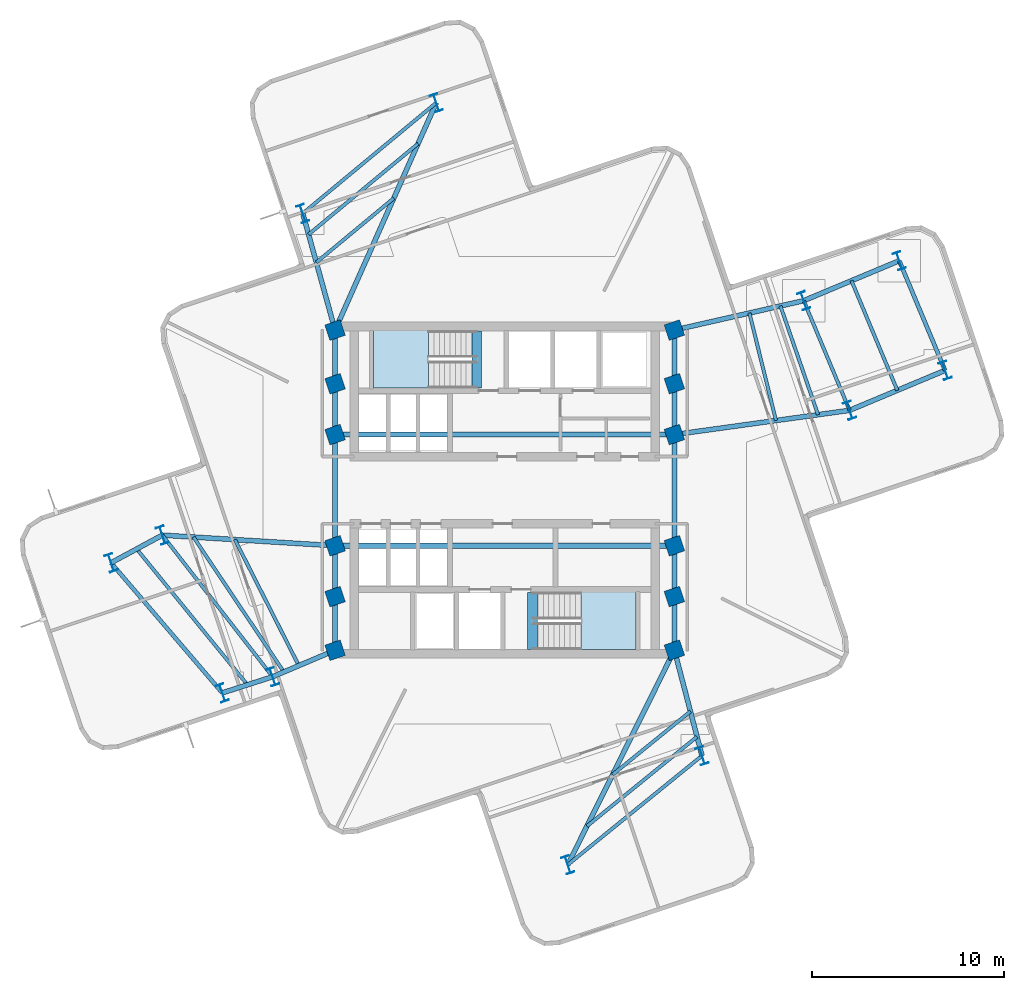
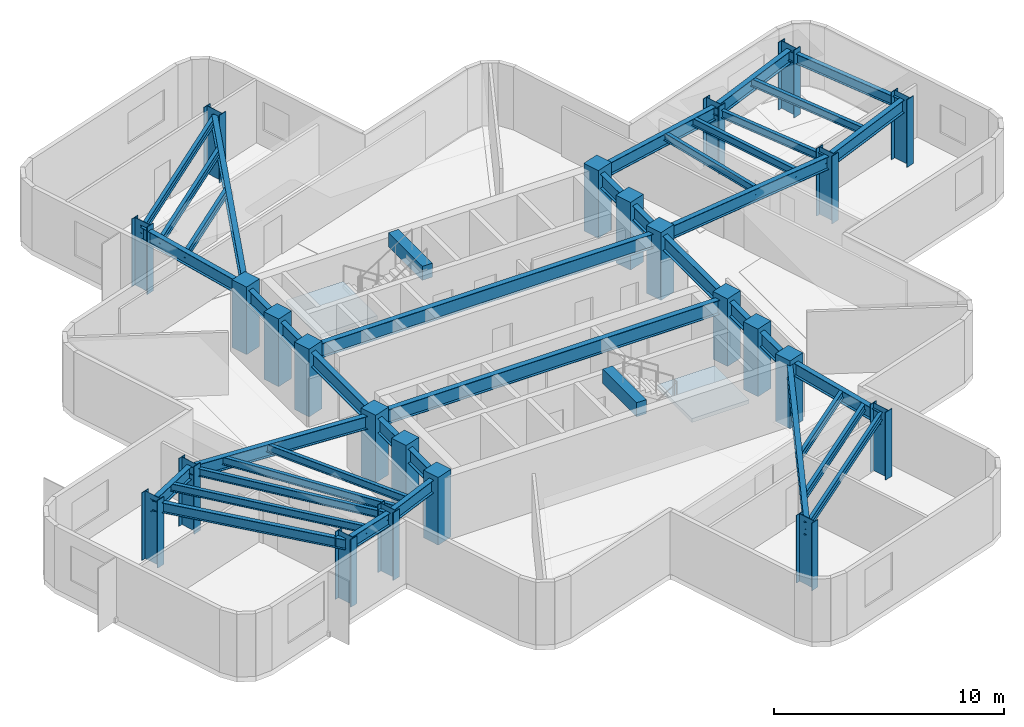
# One storey, part 1 of 8: 42 beams, 24 columns, 2 slabs, 2 elements without a shape of their own.
"""IFC4 building model written with IfcOpenShell, lengths in metres."""

from ifc_helpers import new_model, si_unit, direction, frame, origin, origin_2d, place, context, subcontext, project, spatial, polyline, rectangle, i_section, outline, extrude, material, layer, layer_set, material_profile, profile_set, type_object, element, aggregate, save


model = new_model("IFC4")

# Units and contexts
model_context = context("Model", 3, precision=1e-05, world=origin(), true_north=direction((0.0, 1.0)))
body_context = subcontext(model_context, "Body", "Model", "MODEL_VIEW")
ifc_project = project(units=[si_unit("LENGTHUNIT", "METRE"), si_unit("AREAUNIT", "SQUARE_METRE"), si_unit("VOLUMEUNIT", "CUBIC_METRE"), si_unit("PLANEANGLEUNIT", "RADIAN"), si_unit("MASSUNIT", "GRAM", prefix="KILO")], contexts=[model_context])

# Site, building, storey
site_placement = place(None, origin())
site = spatial("IfcSite", under=ifc_project, at=site_placement, CompositionType="ELEMENT")
building_placement = place(site_placement, origin())
building = spatial("IfcBuilding", under=site, at=building_placement, Name="Solmarez Civic Tower", CompositionType="ELEMENT")
storey_placement = place(building_placement, frame((0.0, 0.0, 159.47998046875)))
storey = spatial("IfcBuildingStorey", under=building, at=storey_placement, Name="L42", CompositionType="ELEMENT", Elevation=159.47998046875)

# Columns
ifc_material_1 = material(Name="Concrete C50/60", Category="concrete")
ifc_material_profile_1 = material_profile(ifc_material_1, rectangle(XDim=0.85009765625, YDim=0.85009765625, at=origin_2d()), Name="RC850X850")
ifc_profile_set_1 = profile_set([ifc_material_profile_1], Name="Concrete C50/60")
column_type_1 = type_object("IfcColumnType", Name="COL-RC850", PredefinedType="COLUMN", material=ifc_profile_set_1)
for number, where, z_axis, x_axis, name in (
    (1, (-8.85009765625, -5.550048828125, 0.0), (0.0, 0.0, 1.0), (0.948323655206, 0.317304656405, 0.0), "L42 Structural Column HC1"),
    (2, (-8.85009765625, -2.89990234375, 0.0), (0.0, 0.0, 1.0), (0.948323655206, 0.317304656405, 0.0), "L42 Structural Column HC2"),
    (3, (-8.85009765625, 2.89990234375, 0.0), (0.0, 0.0, 1.0), (0.948323655206, 0.317304656405, 0.0), "L42 Structural Column HC3"),
    (4, (-8.85009765625, 5.550048828125, 0.0), (0.0, 0.0, 1.0), (0.948323655206, 0.317304656405, 0.0), "L42 Structural Column HC4"),
    (5, (8.85009765625, -5.550048828125, 0.0), (0.0, 0.0, 1.0), (0.948323655206, 0.317304656405, 0.0), "L42 Structural Column HC5"),
    (6, (8.85009765625, -2.89990234375, 0.0), (0.0, 0.0, 1.0), (0.948323655206, 0.317304656405, 0.0), "L42 Structural Column HC6"),
    (7, (8.85009765625, 2.89990234375, 0.0), (0.0, 0.0, 1.0), (0.948323655206, 0.317304656405, 0.0), "L42 Structural Column HC7"),
    (8, (8.85009765625, 5.550048828125, 0.0), (0.0, 0.0, 1.0), (0.948323655206, 0.317304656405, 0.0), "L42 Structural Column HC8"),
    (9, (-8.85009765625, 8.35009765625, 0.0), (0.0, 0.0, 1.0), (0.948323655206, 0.317304656405, 0.0), "L42 Structural Column HC9"),
    (10, (8.85009765625, -8.35009765625, 0.0), (0.0, 0.0, 1.0), (0.948323655206, 0.317304656405, 0.0), "L42 Structural Column HC10"),
    (11, (8.85009765625, 8.35009765625, 0.0), (0.0, 0.0, 1.0), (0.948323655206, 0.317304656405, 0.0), "L42 Structural Column HC11"),
    (12, (-8.85009765625, -8.35009765625, 0.0), (0.0, 0.0, 1.0), (0.948323655206, 0.317304656405, 0.0), "L42 Structural Column HC12"),
):
    element("IfcColumn", number, at=place(storey_placement, frame(where, z_axis=z_axis, x_axis=x_axis)), inside=storey, type_object=column_type_1, Name=name, PredefinedType="COLUMN", context=body_context, shape_type="SweptSolid", body=[
        extrude(rectangle(XDim=0.85009765625, YDim=0.85009765625, at=origin_2d()), origin(), (0.0, 0.0, 1.0), 3.60009765625),
    ])
ifc_material_2 = material(Name="Steel S355", Category="steel")
ifc_material_profile_2 = material_profile(ifc_material_2, i_section(OverallWidth=0.41796875, OverallDepth=0.927001953125, WebThickness=0.019287109375, FlangeThickness=0.031982421875, at=origin_2d()), Name="W36X231")
ifc_profile_set_2 = profile_set([ifc_material_profile_2], Name="Steel S355")
column_type_2 = type_object("IfcColumnType", Name="COL-W36X231", PredefinedType="COLUMN", material=ifc_profile_set_2)
for number, where, z_axis, x_axis, name in (
    (13, (17.987060546875, 4.1640625, 0.0), (0.0, 0.0, 1.0), (0.948323655206, 0.317304656405, 0.0), "L42 Structural Column EA11"),
    (14, (15.593994140625, 9.883056640625, 0.0), (0.0, 0.0, 1.0), (0.948323655206, 0.317304656405, 0.0), "L42 Structural Column EA12"),
    (15, (22.968017578125, 6.248046875, 0.0), (0.0, 0.0, 1.0), (0.948323655206, 0.317304656405, 0.0), "L42 Structural Column EA21"),
    (16, (20.575927734375, 11.967041015625, 0.0), (0.0, 0.0, 1.0), (0.948323655206, 0.317304656405, 0.0), "L42 Structural Column EA22"),
    (17, (-3.570068359375, 20.20703125, 0.0), (0.0, 0.0, 1.0), (0.948323655206, 0.317304656405, 0.0), "L42 Structural Column NA11"),
    (18, (-10.532958984375, 14.43310546875, 0.0), (0.0, 0.0, 1.0), (0.948323655206, 0.317304656405, 0.0), "L42 Structural Column NA12"),
    (19, (-17.85791015625, -2.345947265625, 0.0), (0.0, 0.0, 1.0), (0.948323655206, 0.317304656405, 0.0), "L42 Structural Column WA11"),
    (20, (-12.10595703125, -9.73095703125, 0.0), (0.0, 0.0, 1.0), (0.948323655206, 0.317304656405, 0.0), "L42 Structural Column WA12"),
    (21, (-20.534912109375, -3.7880859375, 0.0), (0.0, 0.0, 1.0), (0.948323655206, 0.317304656405, 0.0), "L42 Structural Column WA21"),
    (22, (-14.73095703125, -10.572998046875, 0.0), (0.0, 0.0, 1.0), (0.948323655206, 0.317304656405, 0.0), "L42 Structural Column WA22"),
    (23, (3.2900390625, -19.535888671875, 0.0), (0.0, 0.0, 1.0), (0.948323655206, 0.317304656405, 0.0), "L42 Structural Column SA11"),
    (24, (10.2900390625, -13.85009765625, 0.0), (0.0, 0.0, 1.0), (0.948323655206, 0.317304656405, 0.0), "L42 Structural Column SA12"),
):
    element("IfcColumn", number, at=place(storey_placement, frame(where, z_axis=z_axis, x_axis=x_axis)), inside=storey, type_object=column_type_2, Name=name, PredefinedType="COLUMN", context=body_context, shape_type="SweptSolid", body=[
        extrude(i_section(OverallWidth=0.41796875, OverallDepth=0.927001953125, WebThickness=0.019287109375, FlangeThickness=0.031982421875, at=origin_2d()), origin(), (0.0, 0.0, 1.0), 3.60009765625),
    ])

# Beams
ifc_material_profile_3 = material_profile(ifc_material_2, i_section(OverallWidth=0.178955078125, OverallDepth=0.409912109375, WebThickness=0.0087890625, FlangeThickness=0.014404296875, at=origin_2d()), Name="W16X45")
ifc_profile_set_3 = profile_set([ifc_material_profile_3], Name="Steel S355")
beam_type_1 = type_object("IfcBeamType", Name="BM-JS-W16X45", PredefinedType="JOIST", material=ifc_profile_set_3)
beam_1_placement = place(storey_placement, frame((17.987060546875, 4.1640625, 3.135009765625), z_axis=(-0.386010282684, 0.922494477849, 0.0), x_axis=(-0.922494477849, -0.386010282684, 0.0)))
element("IfcBeam", 25, at=beam_1_placement, inside=storey, type_object=beam_type_1, Name="L42 Secondary Floor Joist BM-L42-EA-T1", PredefinedType="JOIST", context=body_context, shape_type="SweptSolid", body=[
    extrude(i_section(OverallWidth=0.178955078125, OverallDepth=0.409912109375, WebThickness=0.0087890625, FlangeThickness=0.014404296875, at=origin_2d()), origin(), (0.0, 0.0, 1.0), 6.199462890625),
])
beam_2_placement = place(storey_placement, frame((20.47705078125, 5.2060546875, 3.135009765625), z_axis=(-0.385876218946, 0.922550564279, 0.0), x_axis=(-0.922550564279, -0.385876218946, 0.0)))
element("IfcBeam", 26, at=beam_2_placement, inside=storey, type_object=beam_type_1, Name="L42 Secondary Floor Joist JS-L42-EA-M2", PredefinedType="JOIST", context=body_context, shape_type="SweptSolid", body=[
    extrude(i_section(OverallWidth=0.178955078125, OverallDepth=0.409912109375, WebThickness=0.0087890625, FlangeThickness=0.014404296875, at=origin_2d()), origin(), (0.0, 0.0, 1.0), 6.19921875),
])
beam_3_placement = place(storey_placement, frame((14.14892578125, 3.633056640625, 3.135009765625), z_axis=(-0.240167471374, 0.970731469405, 0.0), x_axis=(-0.970731469405, -0.240167471374, 0.0)))
element("IfcBeam", 27, at=beam_3_placement, inside=storey, type_object=beam_type_1, Name="L42 Secondary Floor Joist JS-L42-EA-M11", PredefinedType="JOIST", context=body_context, shape_type="SweptSolid", body=[
    extrude(i_section(OverallWidth=0.178955078125, OverallDepth=0.409912109375, WebThickness=0.0087890625, FlangeThickness=0.014404296875, at=origin_2d()), origin(), (0.0, 0.0, 1.0), 5.77490234375),
])
beam_4_placement = place(storey_placement, frame((16.342041015625, 3.93603515625, 3.135009765625), z_axis=(-0.326984797789, 0.945029598486, 0.0), x_axis=(-0.945029598486, -0.326984797789, 0.0)))
element("IfcBeam", 28, at=beam_4_placement, inside=storey, type_object=beam_type_1, Name="L42 Secondary Floor Joist JS-L42-EA-M12", PredefinedType="JOIST", context=body_context, shape_type="SweptSolid", body=[
    extrude(i_section(OverallWidth=0.178955078125, OverallDepth=0.409912109375, WebThickness=0.0087890625, FlangeThickness=0.014404296875, at=origin_2d()), origin(), (0.0, 0.0, 1.0), 6.000732421875),
])
beam_5_placement = place(storey_placement, frame((-3.570068359375, 20.20703125, 3.135009765625), z_axis=(-0.769767664309, -0.638324167633, 0.0), x_axis=(0.638324167633, -0.769767664309, 0.0)))
element("IfcBeam", 29, at=beam_5_placement, inside=storey, type_object=beam_type_1, Name="L42 Secondary Floor Joist BM-L42-NA-T1", PredefinedType="JOIST", context=body_context, shape_type="SweptSolid", body=[
    extrude(i_section(OverallWidth=0.178955078125, OverallDepth=0.409912109375, WebThickness=0.0087890625, FlangeThickness=0.014404296875, at=origin_2d()), origin(), (0.0, 0.0, 1.0), 9.04541015625),
])
beam_6_placement = place(storey_placement, frame((-5.7880859375, 15.22705078125, 3.135009765625), z_axis=(-0.76969549019, -0.63841119381, 0.0), x_axis=(0.63841119381, -0.76969549019, 0.0)))
element("IfcBeam", 30, at=beam_6_placement, inside=storey, type_object=beam_type_1, Name="L42 Secondary Floor Joist JS-L42-NA-M11", PredefinedType="JOIST", context=body_context, shape_type="SweptSolid", body=[
    extrude(i_section(OverallWidth=0.178955078125, OverallDepth=0.409912109375, WebThickness=0.0087890625, FlangeThickness=0.014404296875, at=origin_2d()), origin(), (0.0, 0.0, 1.0), 5.24609375),
])
beam_7_placement = place(storey_placement, frame((-4.52001953125, 18.072998046875, 3.135009765625), z_axis=(-0.769756777075, -0.638337296535, 0.0), x_axis=(0.638337296535, -0.769756777075, 0.0)))
element("IfcBeam", 31, at=beam_7_placement, inside=storey, type_object=beam_type_1, Name="L42 Secondary Floor Joist JS-L42-NA-M12", PredefinedType="JOIST", context=body_context, shape_type="SweptSolid", body=[
    extrude(i_section(OverallWidth=0.178955078125, OverallDepth=0.409912109375, WebThickness=0.0087890625, FlangeThickness=0.014404296875, at=origin_2d()), origin(), (0.0, 0.0, 1.0), 7.41796875),
])
beam_8_placement = place(storey_placement, frame((-17.85791015625, -2.345947265625, 3.135009765625), z_axis=(0.614476744631, -0.788934934141, 0.0), x_axis=(0.788934934141, 0.614476744631, 0.0)))
element("IfcBeam", 32, at=beam_8_placement, inside=storey, type_object=beam_type_1, Name="L42 Secondary Floor Joist BM-L42-WA-T1", PredefinedType="JOIST", context=body_context, shape_type="SweptSolid", body=[
    extrude(i_section(OverallWidth=0.178955078125, OverallDepth=0.409912109375, WebThickness=0.0087890625, FlangeThickness=0.014404296875, at=origin_2d()), origin(), (0.0, 0.0, 1.0), 9.36083984375),
])
beam_9_placement = place(storey_placement, frame((-19.197021484375, -3.06689453125, 3.135009765625), z_axis=(0.632062174253, -0.77491767813, 0.0), x_axis=(0.77491767813, 0.632062174253, 0.0)))
element("IfcBeam", 33, at=beam_9_placement, inside=storey, type_object=beam_type_1, Name="L42 Secondary Floor Joist JS-L42-WA-M2", PredefinedType="JOIST", context=body_context, shape_type="SweptSolid", body=[
    extrude(i_section(OverallWidth=0.178955078125, OverallDepth=0.409912109375, WebThickness=0.0087890625, FlangeThickness=0.014404296875, at=origin_2d()), origin(), (0.0, 0.0, 1.0), 9.14306640625),
])
beam_10_placement = place(storey_placement, frame((-14.074951171875, -2.5791015625, 3.135009765625), z_axis=(0.452743410654, -0.891640849282, 0.0), x_axis=(0.891640849282, 0.452743410654, 0.0)))
element("IfcBeam", 34, at=beam_10_placement, inside=storey, type_object=beam_type_1, Name="L42 Secondary Floor Joist JS-L42-WA-M11", PredefinedType="JOIST", context=body_context, shape_type="SweptSolid", body=[
    extrude(i_section(OverallWidth=0.178955078125, OverallDepth=0.409912109375, WebThickness=0.0087890625, FlangeThickness=0.014404296875, at=origin_2d()), origin(), (0.0, 0.0, 1.0), 7.370361328125),
])
beam_11_placement = place(storey_placement, frame((-16.237060546875, -2.446044921875, 3.135009765625), z_axis=(0.556859935783, -0.830606412159, 0.0), x_axis=(0.830606412159, 0.556859935783, 0.0)))
element("IfcBeam", 35, at=beam_11_placement, inside=storey, type_object=beam_type_1, Name="L42 Secondary Floor Joist JS-L42-WA-M12", PredefinedType="JOIST", context=body_context, shape_type="SweptSolid", body=[
    extrude(i_section(OverallWidth=0.178955078125, OverallDepth=0.409912109375, WebThickness=0.0087890625, FlangeThickness=0.014404296875, at=origin_2d()), origin(), (0.0, 0.0, 1.0), 8.470703125),
])
beam_12_placement = place(storey_placement, frame((3.2900390625, -19.535888671875, 3.135009765625), z_axis=(0.776206737012, 0.630478470225, 0.0), x_axis=(-0.630478470225, 0.776206737012, 0.0)))
element("IfcBeam", 36, at=beam_12_placement, inside=storey, type_object=beam_type_1, Name="L42 Secondary Floor Joist BM-L42-SA-T1", PredefinedType="JOIST", context=body_context, shape_type="SweptSolid", body=[
    extrude(i_section(OverallWidth=0.178955078125, OverallDepth=0.409912109375, WebThickness=0.0087890625, FlangeThickness=0.014404296875, at=origin_2d()), origin(), (0.0, 0.0, 1.0), 9.018310546875),
])
beam_13_placement = place(storey_placement, frame((5.625, -14.837890625, 3.135009765625), z_axis=(0.776202509922, 0.630483674325, 0.0), x_axis=(-0.630483674325, 0.776202509922, 0.0)))
element("IfcBeam", 37, at=beam_13_placement, inside=storey, type_object=beam_type_1, Name="L42 Secondary Floor Joist JS-L42-SA-M11", PredefinedType="JOIST", context=body_context, shape_type="SweptSolid", body=[
    extrude(i_section(OverallWidth=0.178955078125, OverallDepth=0.409912109375, WebThickness=0.0087890625, FlangeThickness=0.014404296875, at=origin_2d()), origin(), (0.0, 0.0, 1.0), 5.230712890625),
])
beam_14_placement = place(storey_placement, frame((4.291015625, -17.52294921875, 3.135009765625), z_axis=(0.776173575786, 0.630519294115, 0.0), x_axis=(-0.630519294115, 0.776173575786, 0.0)))
element("IfcBeam", 38, at=beam_14_placement, inside=storey, type_object=beam_type_1, Name="L42 Secondary Floor Joist JS-L42-SA-M12", PredefinedType="JOIST", context=body_context, shape_type="SweptSolid", body=[
    extrude(i_section(OverallWidth=0.178955078125, OverallDepth=0.409912109375, WebThickness=0.0087890625, FlangeThickness=0.014404296875, at=origin_2d()), origin(), (0.0, 0.0, 1.0), 7.395263671875),
])
ifc_material_profile_4 = material_profile(ifc_material_1, rectangle(XDim=0.5, YDim=0.75, at=origin_2d()), Name="RC500X750")
ifc_profile_set_4 = profile_set([ifc_material_profile_4], Name="Concrete C50/60")
beam_type_2 = type_object("IfcBeamType", Name="BM-PR-RC500X750", PredefinedType="BEAM", material=ifc_profile_set_4)
for number, where, z_axis, x_axis, name in (
    (39, (-1.449951171875, 5.340087890625, 3.23291015625), (0.0, 1.0, 0.0), (-1.0, 0.0, 0.0), "L42 North Stair Threshold Beam"),
    (40, (1.449951171875, -8.300048828125, 3.23291015625), (0.0, 1.0, 0.0), (-1.0, 0.0, 0.0), "L42 South Stair Threshold Beam"),
):
    element("IfcBeam", number, at=place(storey_placement, frame(where, z_axis=z_axis, x_axis=x_axis)), inside=storey, type_object=beam_type_2, Name=name, PredefinedType="BEAM", context=body_context, shape_type="SweptSolid", body=[
        extrude(rectangle(XDim=0.5, YDim=0.75, at=origin_2d()), origin(), (0.0, 0.0, 1.0), 2.9599609375),
    ])
ifc_material_profile_5 = material_profile(ifc_material_2, i_section(OverallWidth=0.25390625, OverallDepth=0.68798828125, WebThickness=0.01318359375, FlangeThickness=0.02099609375, at=origin_2d()), Name="W27X102")
ifc_profile_set_5 = profile_set([ifc_material_profile_5], Name="Steel S355")
beam_type_3 = type_object("IfcBeamType", Name="BM-PR-W27X102", PredefinedType="BEAM", material=ifc_profile_set_5)
beam_15_placement = place(storey_placement, frame((8.85009765625, 2.89990234375, 2.99609375), z_axis=(0.990563968355, 0.137051175101, 0.0), x_axis=(-0.137051175101, 0.990563968355, 0.0)))
element("IfcBeam", 41, at=beam_15_placement, inside=storey, type_object=beam_type_3, Name="L42 Primary Floor Beam BM-L42-EA-R1A", PredefinedType="BEAM", context=body_context, shape_type="SweptSolid", body=[
    extrude(i_section(OverallWidth=0.25390625, OverallDepth=0.68798828125, WebThickness=0.01318359375, FlangeThickness=0.02099609375, at=origin_2d()), origin(), (0.0, 0.0, 1.0), 9.22412109375),
])
beam_16_placement = place(storey_placement, frame((8.85009765625, 8.35009765625, 2.99609375), z_axis=(0.975124879448, 0.221656196577, 0.0), x_axis=(-0.221656196577, 0.975124879448, 0.0)))
element("IfcBeam", 42, at=beam_16_placement, inside=storey, type_object=beam_type_3, Name="L42 Primary Floor Beam BM-L42-EA-R1B", PredefinedType="BEAM", context=body_context, shape_type="SweptSolid", body=[
    extrude(i_section(OverallWidth=0.25390625, OverallDepth=0.68798828125, WebThickness=0.01318359375, FlangeThickness=0.02099609375, at=origin_2d()), origin(), (0.0, 0.0, 1.0), 6.916015625),
])
beam_17_placement = place(storey_placement, frame((17.987060546875, 4.1640625, 2.99609375), z_axis=(0.922511388683, 0.385969866376, 0.0), x_axis=(-0.385969866376, 0.922511388683, 0.0)))
element("IfcBeam", 43, at=beam_17_placement, inside=storey, type_object=beam_type_3, Name="L42 Primary Floor Beam BM-L42-EA-R2A", PredefinedType="BEAM", context=body_context, shape_type="SweptSolid", body=[
    extrude(i_section(OverallWidth=0.25390625, OverallDepth=0.68798828125, WebThickness=0.01318359375, FlangeThickness=0.02099609375, at=origin_2d()), origin(), (0.0, 0.0, 1.0), 5.3994140625),
])
beam_18_placement = place(storey_placement, frame((15.593994140625, 9.883056640625, 2.99609375), z_axis=(0.922538326171, 0.385905476438, 0.0), x_axis=(-0.385905476438, 0.922538326171, 0.0)))
element("IfcBeam", 44, at=beam_18_placement, inside=storey, type_object=beam_type_3, Name="L42 Primary Floor Beam BM-L42-EA-R2B", PredefinedType="BEAM", context=body_context, shape_type="SweptSolid", body=[
    extrude(i_section(OverallWidth=0.25390625, OverallDepth=0.68798828125, WebThickness=0.01318359375, FlangeThickness=0.02099609375, at=origin_2d()), origin(), (0.0, 0.0, 1.0), 5.400146484375),
])
beam_19_placement = place(storey_placement, frame((-8.85009765625, 8.35009765625, 2.99609375), z_axis=(0.406799805731, 0.9135173332, 0.0), x_axis=(-0.9135173332, 0.406799805731, 0.0)))
element("IfcBeam", 45, at=beam_19_placement, inside=storey, type_object=beam_type_3, Name="L42 Primary Floor Beam BM-L42-NA-R1A", PredefinedType="BEAM", context=body_context, shape_type="SweptSolid", body=[
    extrude(i_section(OverallWidth=0.25390625, OverallDepth=0.68798828125, WebThickness=0.01318359375, FlangeThickness=0.02099609375, at=origin_2d()), origin(), (0.0, 0.0, 1.0), 12.9794921875),
])
beam_20_placement = place(storey_placement, frame((-8.85009765625, 8.35009765625, 2.99609375), z_axis=(-0.266634219494, 0.963797796737, 0.0), x_axis=(-0.963797796737, -0.266634219494, 0.0)))
element("IfcBeam", 46, at=beam_20_placement, inside=storey, type_object=beam_type_3, Name="L42 Primary Floor Beam BM-L42-NA-R1B", PredefinedType="BEAM", context=body_context, shape_type="SweptSolid", body=[
    extrude(i_section(OverallWidth=0.25390625, OverallDepth=0.68798828125, WebThickness=0.01318359375, FlangeThickness=0.02099609375, at=origin_2d()), origin(), (0.0, 0.0, 1.0), 6.3115234375),
])
beam_21_placement = place(storey_placement, frame((-8.85009765625, -2.89990234375, 2.99609375), z_axis=(-0.998114395047, 0.061381221877, 0.0), x_axis=(-0.061381221877, -0.998114395047, 0.0)))
element("IfcBeam", 47, at=beam_21_placement, inside=storey, type_object=beam_type_3, Name="L42 Primary Floor Beam BM-L42-WA-R1A", PredefinedType="BEAM", context=body_context, shape_type="SweptSolid", body=[
    extrude(i_section(OverallWidth=0.25390625, OverallDepth=0.68798828125, WebThickness=0.01318359375, FlangeThickness=0.02099609375, at=origin_2d()), origin(), (0.0, 0.0, 1.0), 9.02490234375),
])
beam_22_placement = place(storey_placement, frame((-8.85009765625, -8.35009765625, 2.99609375), z_axis=(-0.920623894701, -0.390450566019, 0.0), x_axis=(0.390450566019, -0.920623894701, 0.0)))
element("IfcBeam", 48, at=beam_22_placement, inside=storey, type_object=beam_type_3, Name="L42 Primary Floor Beam BM-L42-WA-R1B", PredefinedType="BEAM", context=body_context, shape_type="SweptSolid", body=[
    extrude(i_section(OverallWidth=0.25390625, OverallDepth=0.68798828125, WebThickness=0.01318359375, FlangeThickness=0.02099609375, at=origin_2d()), origin(), (0.0, 0.0, 1.0), 3.53662109375),
])
beam_23_placement = place(storey_placement, frame((-17.85791015625, -2.345947265625, 2.99609375), z_axis=(-0.880378270924, -0.474272179329, 0.0), x_axis=(0.474272179329, -0.880378270924, 0.0)))
element("IfcBeam", 49, at=beam_23_placement, inside=storey, type_object=beam_type_3, Name="L42 Primary Floor Beam BM-L42-WA-R2A", PredefinedType="BEAM", context=body_context, shape_type="SweptSolid", body=[
    extrude(i_section(OverallWidth=0.25390625, OverallDepth=0.68798828125, WebThickness=0.01318359375, FlangeThickness=0.02099609375, at=origin_2d()), origin(), (0.0, 0.0, 1.0), 3.040771484375),
])
beam_24_placement = place(storey_placement, frame((-12.10595703125, -9.73095703125, 2.99609375), z_axis=(-0.952208998703, -0.305447250421, 0.0), x_axis=(0.305447250421, -0.952208998703, 0.0)))
element("IfcBeam", 50, at=beam_24_placement, inside=storey, type_object=beam_type_3, Name="L42 Primary Floor Beam BM-L42-WA-R2B", PredefinedType="BEAM", context=body_context, shape_type="SweptSolid", body=[
    extrude(i_section(OverallWidth=0.25390625, OverallDepth=0.68798828125, WebThickness=0.01318359375, FlangeThickness=0.02099609375, at=origin_2d()), origin(), (0.0, 0.0, 1.0), 2.7568359375),
])
beam_25_placement = place(storey_placement, frame((8.85009765625, -8.35009765625, 2.99609375), z_axis=(-0.44510935737, -0.895476219663, 0.0), x_axis=(0.895476219663, -0.44510935737, 0.0)))
element("IfcBeam", 51, at=beam_25_placement, inside=storey, type_object=beam_type_3, Name="L42 Primary Floor Beam BM-L42-SA-R1A", PredefinedType="BEAM", context=body_context, shape_type="SweptSolid", body=[
    extrude(i_section(OverallWidth=0.25390625, OverallDepth=0.68798828125, WebThickness=0.01318359375, FlangeThickness=0.02099609375, at=origin_2d()), origin(), (0.0, 0.0, 1.0), 12.491455078125),
])
beam_26_placement = place(storey_placement, frame((8.85009765625, -8.35009765625, 2.99609375), z_axis=(0.253271365575, -0.967395273598, 0.0), x_axis=(0.967395273598, 0.253271365575, 0.0)))
element("IfcBeam", 52, at=beam_26_placement, inside=storey, type_object=beam_type_3, Name="L42 Primary Floor Beam BM-L42-SA-R1B", PredefinedType="BEAM", context=body_context, shape_type="SweptSolid", body=[
    extrude(i_section(OverallWidth=0.25390625, OverallDepth=0.68798828125, WebThickness=0.01318359375, FlangeThickness=0.02099609375, at=origin_2d()), origin(), (0.0, 0.0, 1.0), 5.685302734375),
])
ifc_material_profile_6 = material_profile(ifc_material_2, i_section(OverallWidth=0.26708984375, OverallDepth=0.761962890625, WebThickness=0.014404296875, FlangeThickness=0.021484375, at=origin_2d()), Name="W30X116")
ifc_profile_set_6 = profile_set([ifc_material_profile_6], Name="Steel S355")
beam_type_4 = type_object("IfcBeamType", Name="BM-PR-W30X116", PredefinedType="BEAM", material=ifc_profile_set_6)
beam_27_placement = place(storey_placement, frame((-8.85009765625, -8.35009765625, 2.958984375), z_axis=(0.0, 1.0, 0.0), x_axis=(-1.0, 0.0, 0.0)))
element("IfcBeam", 53, at=beam_27_placement, inside=storey, type_object=beam_type_4, Name="L42 Primary Floor Beam BM-L42-HC12-HC1", PredefinedType="BEAM", context=body_context, shape_type="SweptSolid", body=[
    extrude(i_section(OverallWidth=0.26708984375, OverallDepth=0.761962890625, WebThickness=0.014404296875, FlangeThickness=0.021484375, at=origin_2d()), origin(), (0.0, 0.0, 1.0), 2.800048828125),
])
beam_28_placement = place(storey_placement, frame((-8.85009765625, -5.550048828125, 2.958984375), z_axis=(0.0, 1.0, 0.0), x_axis=(-1.0, 0.0, 0.0)))
element("IfcBeam", 54, at=beam_28_placement, inside=storey, type_object=beam_type_4, Name="L42 Primary Floor Beam BM-L42-HC1-HC2", PredefinedType="BEAM", context=body_context, shape_type="SweptSolid", body=[
    extrude(i_section(OverallWidth=0.26708984375, OverallDepth=0.761962890625, WebThickness=0.014404296875, FlangeThickness=0.021484375, at=origin_2d()), origin(), (0.0, 0.0, 1.0), 2.650146484375),
])
beam_29_placement = place(storey_placement, frame((-8.85009765625, -2.89990234375, 2.958984375), z_axis=(0.0, 1.0, 0.0), x_axis=(-1.0, 0.0, 0.0)))
element("IfcBeam", 55, at=beam_29_placement, inside=storey, type_object=beam_type_4, Name="L42 Primary Floor Beam BM-L42-HC2-HC3", PredefinedType="BEAM", context=body_context, shape_type="SweptSolid", body=[
    extrude(i_section(OverallWidth=0.26708984375, OverallDepth=0.761962890625, WebThickness=0.014404296875, FlangeThickness=0.021484375, at=origin_2d()), origin(), (0.0, 0.0, 1.0), 5.7998046875),
])
beam_30_placement = place(storey_placement, frame((-8.85009765625, 2.89990234375, 2.958984375), z_axis=(0.0, 1.0, 0.0), x_axis=(-1.0, 0.0, 0.0)))
element("IfcBeam", 56, at=beam_30_placement, inside=storey, type_object=beam_type_4, Name="L42 Primary Floor Beam BM-L42-HC3-HC4", PredefinedType="BEAM", context=body_context, shape_type="SweptSolid", body=[
    extrude(i_section(OverallWidth=0.26708984375, OverallDepth=0.761962890625, WebThickness=0.014404296875, FlangeThickness=0.021484375, at=origin_2d()), origin(), (0.0, 0.0, 1.0), 2.650146484375),
])
for number, where, z_axis, x_axis, name in (
    (57, (-8.85009765625, 5.550048828125, 2.958984375), (0.0, 1.0, 0.0), (-1.0, 0.0, 0.0), "L42 Primary Floor Beam BM-L42-HC4-HC9"),
    (58, (8.85009765625, -8.35009765625, 2.958984375), (0.0, 1.0, 0.0), (-1.0, 0.0, 0.0), "L42 Primary Floor Beam BM-L42-HC10-HC5"),
):
    element("IfcBeam", number, at=place(storey_placement, frame(where, z_axis=z_axis, x_axis=x_axis)), inside=storey, type_object=beam_type_4, Name=name, PredefinedType="BEAM", context=body_context, shape_type="SweptSolid", body=[
        extrude(i_section(OverallWidth=0.26708984375, OverallDepth=0.761962890625, WebThickness=0.014404296875, FlangeThickness=0.021484375, at=origin_2d()), origin(), (0.0, 0.0, 1.0), 2.800048828125),
    ])
beam_31_placement = place(storey_placement, frame((8.85009765625, -5.550048828125, 2.958984375), z_axis=(0.0, 1.0, 0.0), x_axis=(-1.0, 0.0, 0.0)))
element("IfcBeam", 59, at=beam_31_placement, inside=storey, type_object=beam_type_4, Name="L42 Primary Floor Beam BM-L42-HC5-HC6", PredefinedType="BEAM", context=body_context, shape_type="SweptSolid", body=[
    extrude(i_section(OverallWidth=0.26708984375, OverallDepth=0.761962890625, WebThickness=0.014404296875, FlangeThickness=0.021484375, at=origin_2d()), origin(), (0.0, 0.0, 1.0), 2.650146484375),
])
beam_32_placement = place(storey_placement, frame((8.85009765625, -2.89990234375, 2.958984375), z_axis=(0.0, 1.0, 0.0), x_axis=(-1.0, 0.0, 0.0)))
element("IfcBeam", 60, at=beam_32_placement, inside=storey, type_object=beam_type_4, Name="L42 Primary Floor Beam BM-L42-HC6-HC7", PredefinedType="BEAM", context=body_context, shape_type="SweptSolid", body=[
    extrude(i_section(OverallWidth=0.26708984375, OverallDepth=0.761962890625, WebThickness=0.014404296875, FlangeThickness=0.021484375, at=origin_2d()), origin(), (0.0, 0.0, 1.0), 5.7998046875),
])
beam_33_placement = place(storey_placement, frame((8.85009765625, 2.89990234375, 2.958984375), z_axis=(0.0, 1.0, 0.0), x_axis=(-1.0, 0.0, 0.0)))
element("IfcBeam", 61, at=beam_33_placement, inside=storey, type_object=beam_type_4, Name="L42 Primary Floor Beam BM-L42-HC7-HC8", PredefinedType="BEAM", context=body_context, shape_type="SweptSolid", body=[
    extrude(i_section(OverallWidth=0.26708984375, OverallDepth=0.761962890625, WebThickness=0.014404296875, FlangeThickness=0.021484375, at=origin_2d()), origin(), (0.0, 0.0, 1.0), 2.650146484375),
])
beam_34_placement = place(storey_placement, frame((8.85009765625, 5.550048828125, 2.958984375), z_axis=(0.0, 1.0, 0.0), x_axis=(-1.0, 0.0, 0.0)))
element("IfcBeam", 62, at=beam_34_placement, inside=storey, type_object=beam_type_4, Name="L42 Primary Floor Beam BM-L42-HC8-HC11", PredefinedType="BEAM", context=body_context, shape_type="SweptSolid", body=[
    extrude(i_section(OverallWidth=0.26708984375, OverallDepth=0.761962890625, WebThickness=0.014404296875, FlangeThickness=0.021484375, at=origin_2d()), origin(), (0.0, 0.0, 1.0), 2.800048828125),
])
for number, where, z_axis, x_axis, name in (
    (63, (-8.85009765625, -2.89990234375, 2.958984375), (1.0, 0.0, 0.0), (0.0, 1.0, 0.0), "L42 Primary Floor Beam BM-L42-HC2-HC6"),
    (64, (-8.85009765625, 2.89990234375, 2.958984375), (1.0, 0.0, 0.0), (0.0, 1.0, 0.0), "L42 Primary Floor Beam BM-L42-HC3-HC7"),
):
    element("IfcBeam", number, at=place(storey_placement, frame(where, z_axis=z_axis, x_axis=x_axis)), inside=storey, type_object=beam_type_4, Name=name, PredefinedType="BEAM", context=body_context, shape_type="SweptSolid", body=[
        extrude(i_section(OverallWidth=0.26708984375, OverallDepth=0.761962890625, WebThickness=0.014404296875, FlangeThickness=0.021484375, at=origin_2d()), origin(), (0.0, 0.0, 1.0), 17.7001953125),
    ])
ifc_material_profile_7 = material_profile(ifc_material_2, i_section(OverallWidth=0.2109375, OverallDepth=0.5390625, WebThickness=0.01171875, FlangeThickness=0.018798828125, at=origin_2d()), Name="W21X73")
ifc_profile_set_7 = profile_set([ifc_material_profile_7], Name="Steel S355")
beam_type_5 = type_object("IfcBeamType", Name="BM-SP-W21X73", PredefinedType="SPANDREL", material=ifc_profile_set_7)
beam_35_placement = place(storey_placement, frame((22.968017578125, 6.248046875, 3.070068359375), z_axis=(-0.385876218946, 0.922550564279, 0.0), x_axis=(-0.922550564279, -0.385876218946, 0.0)))
element("IfcBeam", 65, at=beam_35_placement, inside=storey, type_object=beam_type_5, Name="L42 Perimeter Spandrel Beam BM-L42-EA-T2", PredefinedType="SPANDREL", context=body_context, shape_type="SweptSolid", body=[
    extrude(i_section(OverallWidth=0.2109375, OverallDepth=0.5390625, WebThickness=0.01171875, FlangeThickness=0.018798828125, at=origin_2d()), origin(), (0.0, 0.0, 1.0), 6.19921875),
])
beam_36_placement = place(storey_placement, frame((-20.534912109375, -3.7880859375, 3.070068359375), z_axis=(0.650036693718, -0.759902820642, 0.0), x_axis=(0.759902820642, 0.650036693718, 0.0)))
element("IfcBeam", 66, at=beam_36_placement, inside=storey, type_object=beam_type_5, Name="L42 Perimeter Spandrel Beam BM-L42-WA-T2", PredefinedType="SPANDREL", context=body_context, shape_type="SweptSolid", body=[
    extrude(i_section(OverallWidth=0.2109375, OverallDepth=0.5390625, WebThickness=0.01171875, FlangeThickness=0.018798828125, at=origin_2d()), origin(), (0.0, 0.0, 1.0), 8.9287109375),
])

# Stair, slab
stair_type = type_object("IfcStairType", Name="STAIR-DOGLEG-140W-20R-1800", PredefinedType="HALF_TURN_STAIR", material=ifc_material_1)
stair_1_placement = place(storey_placement, origin())
stair_1 = element("IfcStair", 67, at=stair_1_placement, inside=storey, type_object=stair_type, Name="L42 North Core Protected Exit Stair ST-1", PredefinedType="HALF_TURN_STAIR")
ifc_layer = layer(ifc_material_1, 0.199951171875)
ifc_layer_set = layer_set([ifc_layer], Name="Concrete C50/60")
slab_type = type_object("IfcSlabType", Name="SLAB-LANDING-200", PredefinedType="LANDING", material=ifc_layer_set)
slab_1_placement = place(storey_placement, frame((0.0, 0.0, 1.60009765625)))
slab_1 = element("IfcSlab", 68, at=slab_1_placement, type_object=slab_type, Name="ST-1 landing 1", PredefinedType="LANDING", context=body_context, shape_type="SweptSolid", body=[
    extrude(outline(polyline([(-3.969970703125, 8.320068359375), (-6.85009765625, 8.320068359375), (-6.85009765625, 5.320068359375), (-3.969970703125, 5.320068359375), (-3.969970703125, 8.320068359375)])), origin(), (0.0, 0.0, 1.0), 0.199951171875),
])
aggregate(stair_1, [slab_1])

stair_2_placement = place(storey_placement, origin())
stair_2 = element("IfcStair", 69, at=stair_2_placement, inside=storey, type_object=stair_type, Name="L42 South Core Protected Exit Stair ST-2", PredefinedType="HALF_TURN_STAIR")
slab_2_placement = place(storey_placement, frame((0.0, 0.0, 1.60009765625)))
slab_2 = element("IfcSlab", 70, at=slab_2_placement, type_object=slab_type, Name="ST-2 landing 1", PredefinedType="LANDING", context=body_context, shape_type="SweptSolid", body=[
    extrude(outline(polyline([(3.969970703125, -8.320068359375), (6.85009765625, -8.320068359375), (6.85009765625, -5.320068359375), (3.969970703125, -5.320068359375), (3.969970703125, -8.320068359375)])), origin(), (0.0, 0.0, 1.0), 0.199951171875),
])
aggregate(stair_2, [slab_2])

save(model, "model.ifc")
